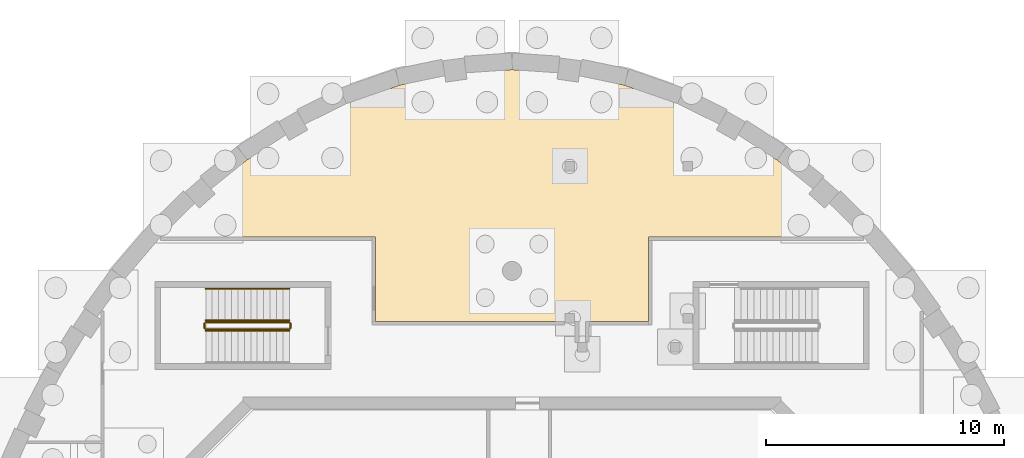
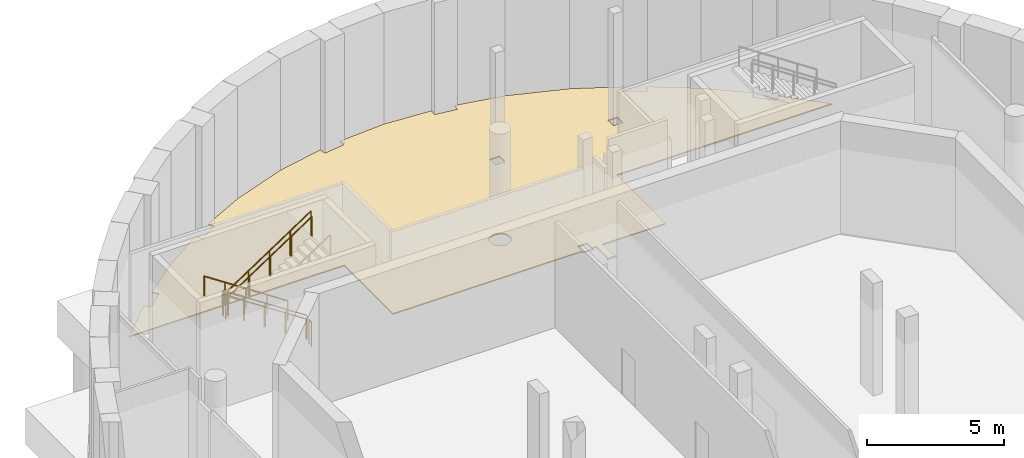
# One storey, part 31 of 33: 7 railings, 1 covering.
"""IFC4 building model written with IfcOpenShell, lengths in metres."""

from ifc_helpers import new_model, si_unit, direction, frame, origin, origin_2d, place, context, subcontext, project, spatial, polyline, circle, outline, extrude, material, layer, layer_set, type_object, element, save


model = new_model("IFC4")

# Units and contexts
model_context = context("Model", 3, precision=1e-05, world=origin(), true_north=direction((0.0, 1.0)))
body_context = subcontext(model_context, "Body", "Model", "MODEL_VIEW")
ifc_project = project(units=[si_unit("LENGTHUNIT", "METRE"), si_unit("AREAUNIT", "SQUARE_METRE"), si_unit("VOLUMEUNIT", "CUBIC_METRE"), si_unit("PLANEANGLEUNIT", "RADIAN"), si_unit("MASSUNIT", "GRAM", prefix="KILO")], contexts=[model_context])

# Site, building, storey
site_placement = place(None, origin())
site = spatial("IfcSite", under=ifc_project, at=site_placement, CompositionType="ELEMENT")
building_placement = place(site_placement, origin())
building = spatial("IfcBuilding", under=site, at=building_placement, Name="Larchfold Concert Hall", CompositionType="ELEMENT")
storey_placement = place(building_placement, frame((0.0, 0.0, -5.0)))
storey = spatial("IfcBuildingStorey", under=building, at=storey_placement, Name="B1", CompositionType="ELEMENT", Elevation=-5.0)

# Covering
ifc_material_1 = material(Name="Sealed cement screed")
ifc_layer = layer(ifc_material_1, 0.050048828125)
ifc_layer_set = layer_set([ifc_layer], Name="Sealed cement screed")
covering_type = type_object("IfcCoveringType", Name="Floor finish sealed screed 50", PredefinedType="FLOORING", material=ifc_layer_set)
covering_placement = place(storey_placement, origin())
element("IfcCovering", 1, at=covering_placement, inside=storey, type_object=covering_type, Name="Floor finish Hall Plant Room 05", PredefinedType="FLOORING", context=body_context, shape_type="SweptSolid", body=[
    extrude(outline(polyline([(36.875, 111.22509765625), (36.875, 107.675048828125), (44.809326171875, 107.675048828125), (44.809326171875, 107.60009765625), (45.255126953125, 107.60009765625), (45.255126953125, 107.675048828125), (45.405029296875, 107.675048828125), (45.405029296875, 106.802734375), (45.329833984375, 106.802734375), (45.349853515625, 106.761962890625), (45.349853515625, 106.800048828125), (45.749755859375, 106.800048828125), (45.749755859375, 106.768798828125), (45.765380859375, 106.779541015625), (45.765625, 106.812744140625), (45.690185546875, 106.813232421875), (45.695556640625, 107.674560546875), (48.324951171875, 107.6748046875), (48.324951171875, 111.224853515625), (57.357421875, 111.224853515625), (57.311767578125, 111.2783203125), (55.916748046875, 112.642333984375), (55.7314453125, 112.434326171875), (55.059326171875, 113.03271484375), (55.24365234375, 113.23974609375), (53.72607421875, 114.4609375), (52.0927734375, 115.513916015625), (51.95703125, 115.275390625), (51.1748046875, 115.72021484375), (51.3095703125, 115.95751953125), (49.56982421875, 116.8154296875), (47.315673828125, 117.6005859375), (45.420166015625, 117.993896484375), (45.383544921875, 117.7275390625), (44.491943359375, 117.8505859375), (44.528564453125, 118.116455078125), (42.60009765625, 118.249267578125), (40.671630859375, 118.116455078125), (40.708251953125, 117.8505859375), (39.816650390625, 117.7275390625), (39.780029296875, 117.993896484375), (37.884521484375, 117.6005859375), (35.63037109375, 116.8154296875), (33.890625, 115.95751953125), (34.025390625, 115.72021484375), (33.2431640625, 115.275390625), (33.107421875, 115.513916015625), (31.47412109375, 114.4609375), (29.95654296875, 113.23974609375), (30.140869140625, 113.03271484375), (29.46875, 112.434326171875), (29.283447265625, 112.642333984375), (27.888427734375, 111.2783203125), (27.8427734375, 111.224853515625), (36.875, 111.22509765625)]), holes=[polyline([(49.775146484375, 114.387451171875), (50.175048828125, 114.387451171875), (50.175048828125, 113.987548828125), (49.775146484375, 113.987548828125), (49.775146484375, 114.387451171875)]), polyline([(45.224853515625, 107.612548828125), (44.824951171875, 107.612548828125), (44.824951171875, 108.012451171875), (45.224853515625, 108.012451171875), (45.224853515625, 107.612548828125)]), polyline([(45.224853515625, 114.387451171875), (45.224853515625, 113.987548828125), (44.824951171875, 113.987548828125), (44.824951171875, 114.387451171875), (45.224853515625, 114.387451171875)]), polyline([(42.447021484375, 109.430419921875), (42.356689453125, 109.482666015625), (42.317138671875, 109.51708984375), (42.28271484375, 109.556640625), (42.23046875, 109.64697265625), (42.20361328125, 109.747802734375), (42.2001953125, 109.800048828125), (42.20361328125, 109.852294921875), (42.23046875, 109.953125), (42.28271484375, 110.04345703125), (42.317138671875, 110.0830078125), (42.356689453125, 110.117431640625), (42.447021484375, 110.169677734375), (42.49658203125, 110.1865234375), (42.60009765625, 110.199951171875), (42.70361328125, 110.1865234375), (42.753173828125, 110.169677734375), (42.843505859375, 110.117431640625), (42.883056640625, 110.0830078125), (42.91748046875, 110.04345703125), (42.9697265625, 109.953125), (42.99658203125, 109.852294921875), (43.0, 109.800048828125), (42.99658203125, 109.747802734375), (42.9697265625, 109.64697265625), (42.91748046875, 109.556640625), (42.883056640625, 109.51708984375), (42.843505859375, 109.482666015625), (42.753173828125, 109.430419921875), (42.70361328125, 109.41357421875), (42.60009765625, 109.400146484375), (42.49658203125, 109.41357421875), (42.447021484375, 109.430419921875)])]), origin(), (0.0, 0.0, 1.0), 0.050048828125),
])

# Railings
ifc_material_2 = material(Name="Stainless steel balustrade", Category="steel")
railing_type_1 = type_object("IfcRailingType", Name="Stair guard 1100", PredefinedType="GUARDRAIL", material=ifc_material_2)
railing_1_placement = place(storey_placement, frame((33.25, 107.650146484375, 0.178466796875)))
element("IfcRailing", 2, at=railing_1_placement, inside=storey, type_object=railing_type_1, Name="Guard GR0005", PredefinedType="GUARDRAIL", context=body_context, shape_type="SweptSolid", body=[
    extrude(circle(Radius=0.02392578125, at=origin_2d()), frame((0.0, 0.0, 1.076171875), z_axis=(-0.834070780157, 0.0, 0.551657442339), x_axis=(0.0, -1.0, 0.0)), (0.0, 0.0, 1.0), 4.208251953125),
    extrude(circle(Radius=0.02099609375, at=origin_2d()), origin(), (0.0, 0.0, 1.0), 1.052001953125),
    extrude(circle(Radius=0.02099609375, at=origin_2d()), frame((-0.87744140625, 0.0, 0.580322265625)), (0.0, 0.0, 1.0), 1.052001953125),
    extrude(circle(Radius=0.02099609375, at=origin_2d()), frame((-1.7548828125, 0.0, 1.16064453125)), (0.0, 0.0, 1.0), 1.052001953125),
    extrude(circle(Radius=0.02099609375, at=origin_2d()), frame((-2.632568359375, 0.0, 1.7412109375)), (0.0, 0.0, 1.0), 1.052001953125),
    extrude(circle(Radius=0.02099609375, at=origin_2d()), frame((-3.510009765625, 0.0, 2.321533203125)), (0.0, 0.0, 1.0), 1.052001953125),
])
railing_2_placement = place(storey_placement, frame((29.68994140625, 107.60009765625, 2.5)))
element("IfcRailing", 3, at=railing_2_placement, inside=storey, type_object=railing_type_1, Name="Guard GR0006", PredefinedType="GUARDRAIL", context=body_context, shape_type="SweptSolid", body=[
    extrude(circle(Radius=0.02392578125, at=origin_2d()), frame((0.0, 0.0, 1.076171875), z_axis=(0.0, -1.0, 0.0), x_axis=(1.0, 0.0, 0.0)), (0.0, 0.0, 1.0), 0.199951171875),
    extrude(circle(Radius=0.02099609375, at=origin_2d()), origin(), (0.0, 0.0, 1.0), 1.052001953125),
    extrude(circle(Radius=0.02099609375, at=origin_2d()), frame((0.0, -0.199951171875, 0.0)), (0.0, 0.0, 1.0), 1.052001953125),
])
railing_3_placement = place(storey_placement, frame((29.739990234375, 107.35009765625, 2.678466796875)))
element("IfcRailing", 4, at=railing_3_placement, inside=storey, type_object=railing_type_1, Name="Guard GR0007", PredefinedType="GUARDRAIL", context=body_context, shape_type="SweptSolid", body=[
    extrude(circle(Radius=0.02392578125, at=origin_2d()), frame((0.0, 0.0, 1.076171875), z_axis=(0.834070780157, 0.0, 0.551657442339), x_axis=(0.0, 1.0, 0.0)), (0.0, 0.0, 1.0), 4.208251953125),
    extrude(circle(Radius=0.02099609375, at=origin_2d()), origin(), (0.0, 0.0, 1.0), 1.052001953125),
    extrude(circle(Radius=0.02099609375, at=origin_2d()), frame((0.87744140625, 0.0, 0.580322265625)), (0.0, 0.0, 1.0), 1.052001953125),
    extrude(circle(Radius=0.02099609375, at=origin_2d()), frame((1.7548828125, 0.0, 1.16064453125)), (0.0, 0.0, 1.0), 1.052001953125),
    extrude(circle(Radius=0.02099609375, at=origin_2d()), frame((2.632568359375, 0.0, 1.7412109375)), (0.0, 0.0, 1.0), 1.052001953125),
    extrude(circle(Radius=0.02099609375, at=origin_2d()), frame((3.510009765625, 0.0, 2.321533203125)), (0.0, 0.0, 1.0), 1.052001953125),
])
railing_4_placement = place(storey_placement, frame((33.300048828125, 107.60009765625, 0.0)))
element("IfcRailing", 5, at=railing_4_placement, inside=storey, type_object=railing_type_1, Name="Guard GR0008", PredefinedType="GUARDRAIL", context=body_context, shape_type="SweptSolid", body=[
    extrude(circle(Radius=0.02392578125, at=origin_2d()), frame((0.0, 0.0, 1.076171875), z_axis=(0.0, -1.0, 0.0), x_axis=(1.0, 0.0, 0.0)), (0.0, 0.0, 1.0), 0.199951171875),
    extrude(circle(Radius=0.02099609375, at=origin_2d()), origin(), (0.0, 0.0, 1.0), 1.052001953125),
    extrude(circle(Radius=0.02099609375, at=origin_2d()), frame((0.0, -0.199951171875, 0.0)), (0.0, 0.0, 1.0), 1.052001953125),
])
ifc_material_3 = material(Name="Stainless steel handrail", Category="steel")
railing_type_2 = type_object("IfcRailingType", Name="Stair handrail 900", PredefinedType="HANDRAIL", material=ifc_material_3)
for number, where, name in (
    (6, (33.25, 109.050048828125, 0.178466796875), "Handrail HR0005"),
    (7, (33.25, 107.72021484375, 0.178466796875), "Handrail HR0007"),
):
    element("IfcRailing", number, at=place(storey_placement, frame(where)), inside=storey, type_object=railing_type_2, Name=name, PredefinedType="HANDRAIL", context=body_context, shape_type="SweptSolid", body=[
        extrude(circle(Radius=0.02392578125, at=origin_2d()), frame((0.0, 0.0, 0.8759765625), z_axis=(-0.834070780157, 0.0, 0.551657442339), x_axis=(0.0, -1.0, 0.0)), (0.0, 0.0, 1.0), 4.208251953125),
        extrude(circle(Radius=0.02099609375, at=origin_2d()), origin(), (0.0, 0.0, 1.0), 0.851806640625),
        extrude(circle(Radius=0.02099609375, at=origin_2d()), frame((-0.87744140625, 0.0, 0.580322265625)), (0.0, 0.0, 1.0), 0.851806640625),
        extrude(circle(Radius=0.02099609375, at=origin_2d()), frame((-1.7548828125, 0.0, 1.16064453125)), (0.0, 0.0, 1.0), 0.851806640625),
        extrude(circle(Radius=0.02099609375, at=origin_2d()), frame((-2.632568359375, 0.0, 1.7412109375)), (0.0, 0.0, 1.0), 0.851806640625),
        extrude(circle(Radius=0.02099609375, at=origin_2d()), frame((-3.510009765625, 0.0, 2.321533203125)), (0.0, 0.0, 1.0), 0.851806640625),
    ])
railing_5_placement = place(storey_placement, frame((29.739990234375, 107.280029296875, 2.678466796875)))
element("IfcRailing", 8, at=railing_5_placement, inside=storey, type_object=railing_type_2, Name="Handrail HR0008", PredefinedType="HANDRAIL", context=body_context, shape_type="SweptSolid", body=[
    extrude(circle(Radius=0.02392578125, at=origin_2d()), frame((0.0, 0.0, 0.8759765625), z_axis=(0.834070780157, 0.0, 0.551657442339), x_axis=(0.0, 1.0, 0.0)), (0.0, 0.0, 1.0), 4.208251953125),
    extrude(circle(Radius=0.02099609375, at=origin_2d()), origin(), (0.0, 0.0, 1.0), 0.851806640625),
    extrude(circle(Radius=0.02099609375, at=origin_2d()), frame((0.87744140625, 0.0, 0.580322265625)), (0.0, 0.0, 1.0), 0.851806640625),
    extrude(circle(Radius=0.02099609375, at=origin_2d()), frame((1.7548828125, 0.0, 1.16064453125)), (0.0, 0.0, 1.0), 0.851806640625),
    extrude(circle(Radius=0.02099609375, at=origin_2d()), frame((2.632568359375, 0.0, 1.7412109375)), (0.0, 0.0, 1.0), 0.851806640625),
    extrude(circle(Radius=0.02099609375, at=origin_2d()), frame((3.510009765625, 0.0, 2.321533203125)), (0.0, 0.0, 1.0), 0.851806640625),
])

save(model, "model.ifc")
